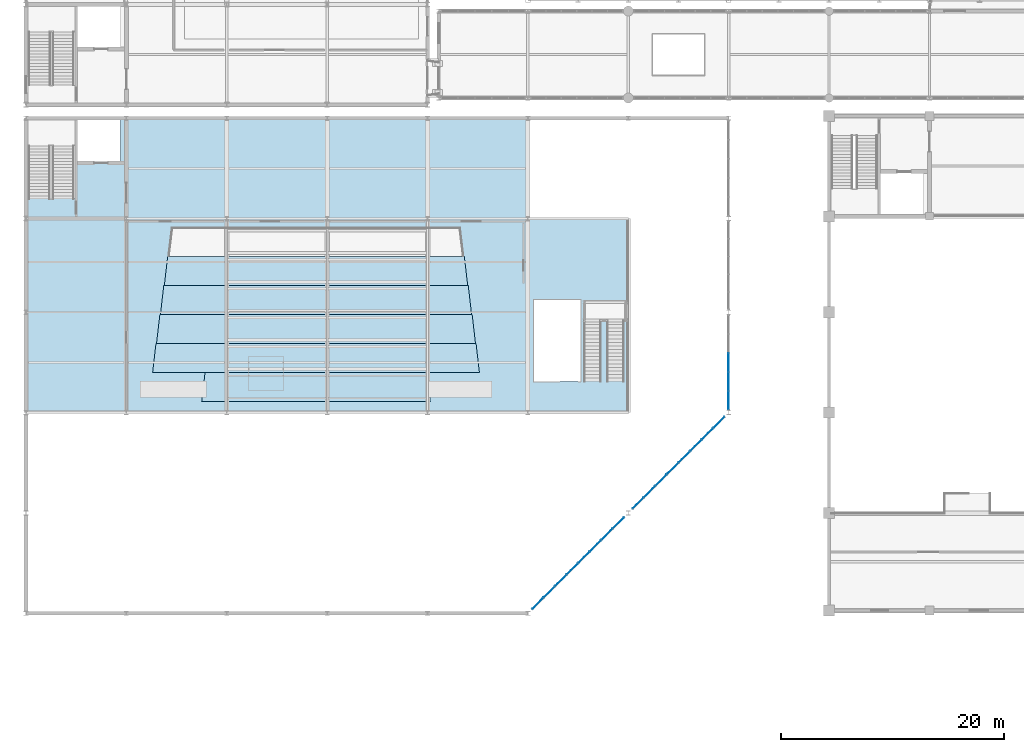
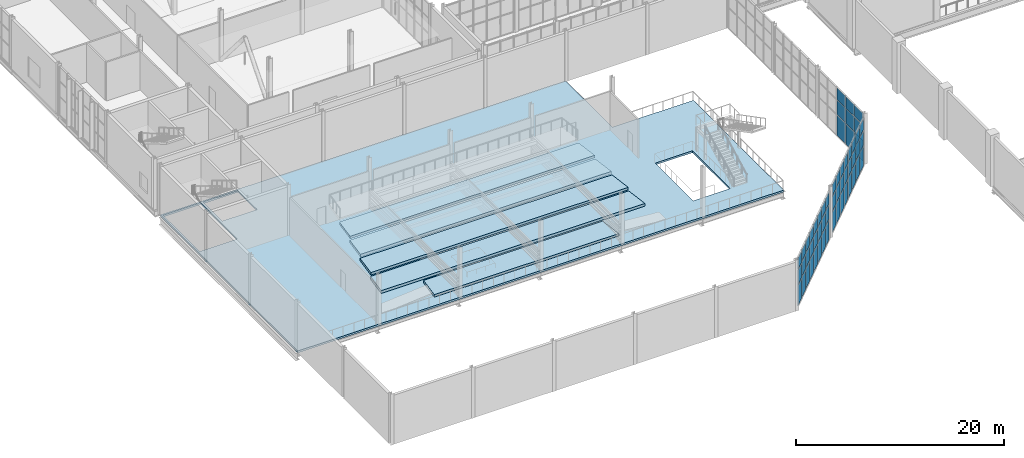
# One storey, part 94 of 159: 57 plates, 6 slabs, 3 elements without a shape of their own.
"""IFC4 building model written with IfcOpenShell, lengths in metres."""

from ifc_helpers import new_model, si_unit, direction, frame, origin, origin_2d, place, context, subcontext, project, spatial, polyline, rectangle, outline, extrude, material, layer, layer_set, type_object, element, aggregate, save


model = new_model("IFC4")

# Units and contexts
model_context = context("Model", 3, precision=1e-05, world=origin(), true_north=direction((0.0, 1.0)))
body_context = subcontext(model_context, "Body", "Model", "MODEL_VIEW")
ifc_project = project(units=[si_unit("LENGTHUNIT", "METRE"), si_unit("AREAUNIT", "SQUARE_METRE"), si_unit("VOLUMEUNIT", "CUBIC_METRE"), si_unit("PLANEANGLEUNIT", "RADIAN"), si_unit("MASSUNIT", "GRAM", prefix="KILO")], contexts=[model_context])

# Site, building, storey
site_placement = place(None, origin())
site = spatial("IfcSite", under=ifc_project, at=site_placement, CompositionType="ELEMENT")
building_placement = place(site_placement, origin())
building = spatial("IfcBuilding", under=site, at=building_placement, Name="Cazmaro Siding Exhibition Halls", CompositionType="ELEMENT")
storey_placement = place(building_placement, frame((0.0, 0.0, 6.0)))
storey = spatial("IfcBuildingStorey", under=building, at=storey_placement, Name="L01", CompositionType="ELEMENT", Elevation=6.0)

# Curtain wall, plates
ifc_material_1 = material(Name="Anodized Bronze Aluminum and Solar-Control Low-E Glazing", Category="aluminium")
ifc_layer_1 = layer(ifc_material_1, 0.199951171875)
ifc_layer_set_1 = layer_set([ifc_layer_1], Name="Anodized Bronze Aluminum and Solar-Control Low-E Glazing")
curtain_wall_type_1 = type_object("IfcCurtainWallType", Name="CWS-02", PredefinedType="USERDEFINED", material=ifc_layer_set_1)
curtain_wall_1_placement = place(storey_placement, origin())
curtain_wall_1 = element("IfcCurtainWall", 1, at=curtain_wall_1_placement, inside=storey, type_object=curtain_wall_type_1, Name="Glazed Curtain Wall CWS-02 CW-217", ObjectType="GLAZED CURTAIN WALL", PredefinedType="USERDEFINED")
ifc_material_2 = material(Name="Solar-Control Low-E Double Insulating Glass", Category="glass")
ifc_layer_2 = layer(ifc_material_2, 0.035888671875)
ifc_layer_set_2 = layer_set([ifc_layer_2], Name="Solar-Control Low-E Double Insulating Glass")
plate_type_1 = type_object("IfcPlateType", Name="CWP-02", PredefinedType="CURTAIN_PANEL", material=ifc_layer_set_2)
plate_1_placement = place(storey_placement, frame((63.0, 28.10107421875, 0.06494140625), z_axis=(0.0, 0.0, 1.0), x_axis=(0.0, 1.0, 0.0)))
plate_1 = element("IfcPlate", 2, at=plate_1_placement, type_object=plate_type_1, Name="CWS-02 panel 1.1", PredefinedType="CURTAIN_PANEL", context=body_context, shape_type="SweptSolid", body=[
    extrude(rectangle(XDim=1.610107421875, YDim=0.035888671875, at=origin_2d()), origin(), (0.0, 0.0, 1.0), 2.402587890625),
])
plate_2_placement = place(storey_placement, frame((63.0, 28.10107421875, 2.5322265625), z_axis=(0.0, 0.0, 1.0), x_axis=(0.0, 1.0, 0.0)))
plate_2 = element("IfcPlate", 3, at=plate_2_placement, type_object=plate_type_1, Name="CWS-02 panel 1.2", PredefinedType="CURTAIN_PANEL", context=body_context, shape_type="SweptSolid", body=[
    extrude(rectangle(XDim=1.610107421875, YDim=0.035888671875, at=origin_2d()), origin(), (0.0, 0.0, 1.0), 1.735107421875),
])
plate_3_placement = place(storey_placement, frame((63.0, 28.10107421875, 4.33251953125), z_axis=(0.0, 0.0, 1.0), x_axis=(0.0, 1.0, 0.0)))
plate_3 = element("IfcPlate", 4, at=plate_3_placement, type_object=plate_type_1, Name="CWS-02 panel 1.3", PredefinedType="CURTAIN_PANEL", context=body_context, shape_type="SweptSolid", body=[
    extrude(rectangle(XDim=1.610107421875, YDim=0.035888671875, at=origin_2d()), origin(), (0.0, 0.0, 1.0), 1.3525390625),
])
plate_4_placement = place(storey_placement, frame((63.0, 29.79248046875, 0.06494140625), z_axis=(0.0, 0.0, 1.0), x_axis=(0.0, 1.0, 0.0)))
plate_4 = element("IfcPlate", 5, at=plate_4_placement, type_object=plate_type_1, Name="CWS-02 panel 2.1", PredefinedType="CURTAIN_PANEL", context=body_context, shape_type="SweptSolid", body=[
    extrude(rectangle(XDim=1.642578125, YDim=0.035888671875, at=origin_2d()), origin(), (0.0, 0.0, 1.0), 2.402587890625),
])
plate_5_placement = place(storey_placement, frame((63.0, 29.79248046875, 2.5322265625), z_axis=(0.0, 0.0, 1.0), x_axis=(0.0, 1.0, 0.0)))
plate_5 = element("IfcPlate", 6, at=plate_5_placement, type_object=plate_type_1, Name="CWS-02 panel 2.2", PredefinedType="CURTAIN_PANEL", context=body_context, shape_type="SweptSolid", body=[
    extrude(rectangle(XDim=1.642578125, YDim=0.035888671875, at=origin_2d()), origin(), (0.0, 0.0, 1.0), 1.735107421875),
])
plate_6_placement = place(storey_placement, frame((63.0, 29.79248046875, 4.33251953125), z_axis=(0.0, 0.0, 1.0), x_axis=(0.0, 1.0, 0.0)))
plate_6 = element("IfcPlate", 7, at=plate_6_placement, type_object=plate_type_1, Name="CWS-02 panel 2.3", PredefinedType="CURTAIN_PANEL", context=body_context, shape_type="SweptSolid", body=[
    extrude(rectangle(XDim=1.642578125, YDim=0.035888671875, at=origin_2d()), origin(), (0.0, 0.0, 1.0), 1.3525390625),
])
plate_7_placement = place(storey_placement, frame((63.0, 31.5, 0.06494140625), z_axis=(0.0, 0.0, 1.0), x_axis=(0.0, 1.0, 0.0)))
plate_7 = element("IfcPlate", 8, at=plate_7_placement, type_object=plate_type_1, Name="CWS-02 panel 3.1", PredefinedType="CURTAIN_PANEL", context=body_context, shape_type="SweptSolid", body=[
    extrude(rectangle(XDim=1.642578125, YDim=0.035888671875, at=origin_2d()), origin(), (0.0, 0.0, 1.0), 2.402587890625),
])
plate_8_placement = place(storey_placement, frame((63.0, 31.5, 2.5322265625), z_axis=(0.0, 0.0, 1.0), x_axis=(0.0, 1.0, 0.0)))
plate_8 = element("IfcPlate", 9, at=plate_8_placement, type_object=plate_type_1, Name="CWS-02 panel 3.2", PredefinedType="CURTAIN_PANEL", context=body_context, shape_type="SweptSolid", body=[
    extrude(rectangle(XDim=1.642578125, YDim=0.035888671875, at=origin_2d()), origin(), (0.0, 0.0, 1.0), 1.735107421875),
])
plate_9_placement = place(storey_placement, frame((63.0, 31.5, 4.33251953125), z_axis=(0.0, 0.0, 1.0), x_axis=(0.0, 1.0, 0.0)))
plate_9 = element("IfcPlate", 10, at=plate_9_placement, type_object=plate_type_1, Name="CWS-02 panel 3.3", PredefinedType="CURTAIN_PANEL", context=body_context, shape_type="SweptSolid", body=[
    extrude(rectangle(XDim=1.642578125, YDim=0.035888671875, at=origin_2d()), origin(), (0.0, 0.0, 1.0), 1.3525390625),
])
aggregate(curtain_wall_1, [plate_1, plate_2, plate_3, plate_4, plate_5, plate_6, plate_7, plate_8, plate_9])

ifc_material_3 = material(Name="Anodized Bronze Aluminum and Solar-Control Low-E Glazing", Category="aluminium")
ifc_layer_3 = layer(ifc_material_3, 0.219970703125)
ifc_layer_set_3 = layer_set([ifc_layer_3], Name="Anodized Bronze Aluminum and Solar-Control Low-E Glazing")
curtain_wall_type_2 = type_object("IfcCurtainWallType", Name="CWS-03", PredefinedType="USERDEFINED", material=ifc_layer_set_3)
curtain_wall_2_placement = place(storey_placement, origin())
curtain_wall_2 = element("IfcCurtainWall", 11, at=curtain_wall_2_placement, inside=storey, type_object=curtain_wall_type_2, Name="Glazed Curtain Wall CWS-03 CW-212", ObjectType="GLAZED CURTAIN WALL", PredefinedType="USERDEFINED")
ifc_material_4 = material(Name="Solar-Control Low-E Double Insulating Glass", Category="glass")
ifc_layer_4 = layer(ifc_material_4, 0.0458984375)
ifc_layer_set_4 = layer_set([ifc_layer_4], Name="Solar-Control Low-E Double Insulating Glass")
plate_type_2 = type_object("IfcPlateType", Name="CWP-03", PredefinedType="CURTAIN_PANEL", material=ifc_layer_set_4)
plate_10_placement = place(storey_placement, frame((45.881103515625, 9.881103515625, 0.070068359375), z_axis=(0.0, 0.0, 1.0), x_axis=(0.707106781187, 0.707106781187, 0.0)))
plate_10 = element("IfcPlate", 12, at=plate_10_placement, type_object=plate_type_2, Name="CWS-03 panel 1.1", PredefinedType="CURTAIN_PANEL", context=body_context, shape_type="SweptSolid", body=[
    extrude(rectangle(XDim=1.3623046875, YDim=0.0458984375, at=origin_2d()), origin(), (0.0, 0.0, 1.0), 2.39501953125),
])
plate_11_placement = place(storey_placement, frame((45.881103515625, 9.881103515625, 2.534912109375), z_axis=(0.0, 0.0, 1.0), x_axis=(0.707106781187, 0.707106781187, 0.0)))
plate_11 = element("IfcPlate", 13, at=plate_11_placement, type_object=plate_type_2, Name="CWS-03 panel 1.2", PredefinedType="CURTAIN_PANEL", context=body_context, shape_type="SweptSolid", body=[
    extrude(rectangle(XDim=1.3623046875, YDim=0.0458984375, at=origin_2d()), origin(), (0.0, 0.0, 1.0), 1.72998046875),
])
plate_12_placement = place(storey_placement, frame((45.881103515625, 9.881103515625, 4.3349609375), z_axis=(0.0, 0.0, 1.0), x_axis=(0.707106781187, 0.707106781187, 0.0)))
plate_12 = element("IfcPlate", 14, at=plate_12_placement, type_object=plate_type_2, Name="CWS-03 panel 1.3", PredefinedType="CURTAIN_PANEL", context=body_context, shape_type="SweptSolid", body=[
    extrude(rectangle(XDim=1.3623046875, YDim=0.0458984375, at=origin_2d()), origin(), (0.0, 0.0, 1.0), 1.344970703125),
])
plate_13_placement = place(storey_placement, frame((46.90625, 10.90625, 0.070068359375), z_axis=(0.0, 0.0, 1.0), x_axis=(0.707106781187, 0.707106781187, 0.0)))
plate_13 = element("IfcPlate", 15, at=plate_13_placement, type_object=plate_type_2, Name="CWS-03 panel 2.1", PredefinedType="CURTAIN_PANEL", context=body_context, shape_type="SweptSolid", body=[
    extrude(rectangle(XDim=1.397216796875, YDim=0.0458984375, at=origin_2d()), origin(), (0.0, 0.0, 1.0), 2.39501953125),
])
plate_14_placement = place(storey_placement, frame((46.90625, 10.90625, 2.534912109375), z_axis=(0.0, 0.0, 1.0), x_axis=(0.707106781187, 0.707106781187, 0.0)))
plate_14 = element("IfcPlate", 16, at=plate_14_placement, type_object=plate_type_2, Name="CWS-03 panel 2.2", PredefinedType="CURTAIN_PANEL", context=body_context, shape_type="SweptSolid", body=[
    extrude(rectangle(XDim=1.397216796875, YDim=0.0458984375, at=origin_2d()), origin(), (0.0, 0.0, 1.0), 1.72998046875),
])
plate_15_placement = place(storey_placement, frame((46.90625, 10.90625, 4.3349609375), z_axis=(0.0, 0.0, 1.0), x_axis=(0.707106781187, 0.707106781187, 0.0)))
plate_15 = element("IfcPlate", 17, at=plate_15_placement, type_object=plate_type_2, Name="CWS-03 panel 2.3", PredefinedType="CURTAIN_PANEL", context=body_context, shape_type="SweptSolid", body=[
    extrude(rectangle(XDim=1.397216796875, YDim=0.0458984375, at=origin_2d()), origin(), (0.0, 0.0, 1.0), 1.344970703125),
])
plate_16_placement = place(storey_placement, frame((47.94384765625, 11.94384765625, 0.070068359375), z_axis=(0.0, 0.0, 1.0), x_axis=(0.707106781187, 0.707106781187, 0.0)))
plate_16 = element("IfcPlate", 18, at=plate_16_placement, type_object=plate_type_2, Name="CWS-03 panel 3.1", PredefinedType="CURTAIN_PANEL", context=body_context, shape_type="SweptSolid", body=[
    extrude(rectangle(XDim=1.397216796875, YDim=0.0458984375, at=origin_2d()), origin(), (0.0, 0.0, 1.0), 2.39501953125),
])
plate_17_placement = place(storey_placement, frame((47.94384765625, 11.94384765625, 2.534912109375), z_axis=(0.0, 0.0, 1.0), x_axis=(0.707106781187, 0.707106781187, 0.0)))
plate_17 = element("IfcPlate", 19, at=plate_17_placement, type_object=plate_type_2, Name="CWS-03 panel 3.2", PredefinedType="CURTAIN_PANEL", context=body_context, shape_type="SweptSolid", body=[
    extrude(rectangle(XDim=1.397216796875, YDim=0.0458984375, at=origin_2d()), origin(), (0.0, 0.0, 1.0), 1.72998046875),
])
plate_18_placement = place(storey_placement, frame((47.94384765625, 11.94384765625, 4.3349609375), z_axis=(0.0, 0.0, 1.0), x_axis=(0.707106781187, 0.707106781187, 0.0)))
plate_18 = element("IfcPlate", 20, at=plate_18_placement, type_object=plate_type_2, Name="CWS-03 panel 3.3", PredefinedType="CURTAIN_PANEL", context=body_context, shape_type="SweptSolid", body=[
    extrude(rectangle(XDim=1.397216796875, YDim=0.0458984375, at=origin_2d()), origin(), (0.0, 0.0, 1.0), 1.344970703125),
])
plate_19_placement = place(storey_placement, frame((48.981201171875, 12.981201171875, 0.070068359375), z_axis=(0.0, 0.0, 1.0), x_axis=(0.707106781187, 0.707106781187, 0.0)))
plate_19 = element("IfcPlate", 21, at=plate_19_placement, type_object=plate_type_2, Name="CWS-03 panel 4.1", PredefinedType="CURTAIN_PANEL", context=body_context, shape_type="SweptSolid", body=[
    extrude(rectangle(XDim=1.397216796875, YDim=0.0458984375, at=origin_2d()), origin(), (0.0, 0.0, 1.0), 2.39501953125),
])
plate_20_placement = place(storey_placement, frame((48.981201171875, 12.981201171875, 2.534912109375), z_axis=(0.0, 0.0, 1.0), x_axis=(0.707106781187, 0.707106781187, 0.0)))
plate_20 = element("IfcPlate", 22, at=plate_20_placement, type_object=plate_type_2, Name="CWS-03 panel 4.2", PredefinedType="CURTAIN_PANEL", context=body_context, shape_type="SweptSolid", body=[
    extrude(rectangle(XDim=1.397216796875, YDim=0.0458984375, at=origin_2d()), origin(), (0.0, 0.0, 1.0), 1.72998046875),
])
plate_21_placement = place(storey_placement, frame((48.981201171875, 12.981201171875, 4.3349609375), z_axis=(0.0, 0.0, 1.0), x_axis=(0.707106781187, 0.707106781187, 0.0)))
plate_21 = element("IfcPlate", 23, at=plate_21_placement, type_object=plate_type_2, Name="CWS-03 panel 4.3", PredefinedType="CURTAIN_PANEL", context=body_context, shape_type="SweptSolid", body=[
    extrude(rectangle(XDim=1.397216796875, YDim=0.0458984375, at=origin_2d()), origin(), (0.0, 0.0, 1.0), 1.344970703125),
])
plate_22_placement = place(storey_placement, frame((50.018798828125, 14.018798828125, 0.070068359375), z_axis=(0.0, 0.0, 1.0), x_axis=(0.707106781187, 0.707106781187, 0.0)))
plate_22 = element("IfcPlate", 24, at=plate_22_placement, type_object=plate_type_2, Name="CWS-03 panel 5.1", PredefinedType="CURTAIN_PANEL", context=body_context, shape_type="SweptSolid", body=[
    extrude(rectangle(XDim=1.397216796875, YDim=0.0458984375, at=origin_2d()), origin(), (0.0, 0.0, 1.0), 2.39501953125),
])
plate_23_placement = place(storey_placement, frame((50.018798828125, 14.018798828125, 2.534912109375), z_axis=(0.0, 0.0, 1.0), x_axis=(0.707106781187, 0.707106781187, 0.0)))
plate_23 = element("IfcPlate", 25, at=plate_23_placement, type_object=plate_type_2, Name="CWS-03 panel 5.2", PredefinedType="CURTAIN_PANEL", context=body_context, shape_type="SweptSolid", body=[
    extrude(rectangle(XDim=1.397216796875, YDim=0.0458984375, at=origin_2d()), origin(), (0.0, 0.0, 1.0), 1.72998046875),
])
plate_24_placement = place(storey_placement, frame((50.018798828125, 14.018798828125, 4.3349609375), z_axis=(0.0, 0.0, 1.0), x_axis=(0.707106781187, 0.707106781187, 0.0)))
plate_24 = element("IfcPlate", 26, at=plate_24_placement, type_object=plate_type_2, Name="CWS-03 panel 5.3", PredefinedType="CURTAIN_PANEL", context=body_context, shape_type="SweptSolid", body=[
    extrude(rectangle(XDim=1.397216796875, YDim=0.0458984375, at=origin_2d()), origin(), (0.0, 0.0, 1.0), 1.344970703125),
])
plate_25_placement = place(storey_placement, frame((51.05615234375, 15.05615234375, 0.070068359375), z_axis=(0.0, 0.0, 1.0), x_axis=(0.707106781187, 0.707106781187, 0.0)))
plate_25 = element("IfcPlate", 27, at=plate_25_placement, type_object=plate_type_2, Name="CWS-03 panel 6.1", PredefinedType="CURTAIN_PANEL", context=body_context, shape_type="SweptSolid", body=[
    extrude(rectangle(XDim=1.397216796875, YDim=0.0458984375, at=origin_2d()), origin(), (0.0, 0.0, 1.0), 2.39501953125),
])
plate_26_placement = place(storey_placement, frame((51.05615234375, 15.05615234375, 2.534912109375), z_axis=(0.0, 0.0, 1.0), x_axis=(0.707106781187, 0.707106781187, 0.0)))
plate_26 = element("IfcPlate", 28, at=plate_26_placement, type_object=plate_type_2, Name="CWS-03 panel 6.2", PredefinedType="CURTAIN_PANEL", context=body_context, shape_type="SweptSolid", body=[
    extrude(rectangle(XDim=1.397216796875, YDim=0.0458984375, at=origin_2d()), origin(), (0.0, 0.0, 1.0), 1.72998046875),
])
plate_27_placement = place(storey_placement, frame((51.05615234375, 15.05615234375, 4.3349609375), z_axis=(0.0, 0.0, 1.0), x_axis=(0.707106781187, 0.707106781187, 0.0)))
plate_27 = element("IfcPlate", 29, at=plate_27_placement, type_object=plate_type_2, Name="CWS-03 panel 6.3", PredefinedType="CURTAIN_PANEL", context=body_context, shape_type="SweptSolid", body=[
    extrude(rectangle(XDim=1.397216796875, YDim=0.0458984375, at=origin_2d()), origin(), (0.0, 0.0, 1.0), 1.344970703125),
])
plate_28_placement = place(storey_placement, frame((52.09375, 16.09375, 0.070068359375), z_axis=(0.0, 0.0, 1.0), x_axis=(0.707106781187, 0.707106781187, 0.0)))
plate_28 = element("IfcPlate", 30, at=plate_28_placement, type_object=plate_type_2, Name="CWS-03 panel 7.1", PredefinedType="CURTAIN_PANEL", context=body_context, shape_type="SweptSolid", body=[
    extrude(rectangle(XDim=1.397216796875, YDim=0.0458984375, at=origin_2d()), origin(), (0.0, 0.0, 1.0), 2.39501953125),
])
plate_29_placement = place(storey_placement, frame((52.09375, 16.09375, 2.534912109375), z_axis=(0.0, 0.0, 1.0), x_axis=(0.707106781187, 0.707106781187, 0.0)))
plate_29 = element("IfcPlate", 31, at=plate_29_placement, type_object=plate_type_2, Name="CWS-03 panel 7.2", PredefinedType="CURTAIN_PANEL", context=body_context, shape_type="SweptSolid", body=[
    extrude(rectangle(XDim=1.397216796875, YDim=0.0458984375, at=origin_2d()), origin(), (0.0, 0.0, 1.0), 1.72998046875),
])
plate_30_placement = place(storey_placement, frame((52.09375, 16.09375, 4.3349609375), z_axis=(0.0, 0.0, 1.0), x_axis=(0.707106781187, 0.707106781187, 0.0)))
plate_30 = element("IfcPlate", 32, at=plate_30_placement, type_object=plate_type_2, Name="CWS-03 panel 7.3", PredefinedType="CURTAIN_PANEL", context=body_context, shape_type="SweptSolid", body=[
    extrude(rectangle(XDim=1.397216796875, YDim=0.0458984375, at=origin_2d()), origin(), (0.0, 0.0, 1.0), 1.344970703125),
])
plate_31_placement = place(storey_placement, frame((53.118896484375, 17.118896484375, 0.070068359375), z_axis=(0.0, 0.0, 1.0), x_axis=(0.707106781187, 0.707106781187, 0.0)))
plate_31 = element("IfcPlate", 33, at=plate_31_placement, type_object=plate_type_2, Name="CWS-03 panel 8.1", PredefinedType="CURTAIN_PANEL", context=body_context, shape_type="SweptSolid", body=[
    extrude(rectangle(XDim=1.3623046875, YDim=0.0458984375, at=origin_2d()), origin(), (0.0, 0.0, 1.0), 2.39501953125),
])
plate_32_placement = place(storey_placement, frame((53.118896484375, 17.118896484375, 2.534912109375), z_axis=(0.0, 0.0, 1.0), x_axis=(0.707106781187, 0.707106781187, 0.0)))
plate_32 = element("IfcPlate", 34, at=plate_32_placement, type_object=plate_type_2, Name="CWS-03 panel 8.2", PredefinedType="CURTAIN_PANEL", context=body_context, shape_type="SweptSolid", body=[
    extrude(rectangle(XDim=1.3623046875, YDim=0.0458984375, at=origin_2d()), origin(), (0.0, 0.0, 1.0), 1.72998046875),
])
plate_33_placement = place(storey_placement, frame((53.118896484375, 17.118896484375, 4.3349609375), z_axis=(0.0, 0.0, 1.0), x_axis=(0.707106781187, 0.707106781187, 0.0)))
plate_33 = element("IfcPlate", 35, at=plate_33_placement, type_object=plate_type_2, Name="CWS-03 panel 8.3", PredefinedType="CURTAIN_PANEL", context=body_context, shape_type="SweptSolid", body=[
    extrude(rectangle(XDim=1.3623046875, YDim=0.0458984375, at=origin_2d()), origin(), (0.0, 0.0, 1.0), 1.344970703125),
])
aggregate(curtain_wall_2, [plate_10, plate_11, plate_12, plate_13, plate_14, plate_15, plate_16, plate_17, plate_18, plate_19, plate_20, plate_21, plate_22, plate_23, plate_24, plate_25, plate_26, plate_27, plate_28, plate_29, plate_30, plate_31, plate_32, plate_33])

curtain_wall_3_placement = place(storey_placement, origin())
curtain_wall_3 = element("IfcCurtainWall", 36, at=curtain_wall_3_placement, inside=storey, type_object=curtain_wall_type_2, Name="Glazed Curtain Wall CWS-03 CW-215", ObjectType="GLAZED CURTAIN WALL", PredefinedType="USERDEFINED")
plate_34_placement = place(storey_placement, frame((54.881103515625, 18.881103515625, 0.070068359375), z_axis=(0.0, 0.0, 1.0), x_axis=(0.707106781187, 0.707106781187, 0.0)))
plate_34 = element("IfcPlate", 37, at=plate_34_placement, type_object=plate_type_2, Name="CWS-03 panel 1.1", PredefinedType="CURTAIN_PANEL", context=body_context, shape_type="SweptSolid", body=[
    extrude(rectangle(XDim=1.3623046875, YDim=0.0458984375, at=origin_2d()), origin(), (0.0, 0.0, 1.0), 2.39501953125),
])
plate_35_placement = place(storey_placement, frame((54.881103515625, 18.881103515625, 2.534912109375), z_axis=(0.0, 0.0, 1.0), x_axis=(0.707106781187, 0.707106781187, 0.0)))
plate_35 = element("IfcPlate", 38, at=plate_35_placement, type_object=plate_type_2, Name="CWS-03 panel 1.2", PredefinedType="CURTAIN_PANEL", context=body_context, shape_type="SweptSolid", body=[
    extrude(rectangle(XDim=1.3623046875, YDim=0.0458984375, at=origin_2d()), origin(), (0.0, 0.0, 1.0), 1.72998046875),
])
plate_36_placement = place(storey_placement, frame((54.881103515625, 18.881103515625, 4.3349609375), z_axis=(0.0, 0.0, 1.0), x_axis=(0.707106781187, 0.707106781187, 0.0)))
plate_36 = element("IfcPlate", 39, at=plate_36_placement, type_object=plate_type_2, Name="CWS-03 panel 1.3", PredefinedType="CURTAIN_PANEL", context=body_context, shape_type="SweptSolid", body=[
    extrude(rectangle(XDim=1.3623046875, YDim=0.0458984375, at=origin_2d()), origin(), (0.0, 0.0, 1.0), 1.344970703125),
])
plate_37_placement = place(storey_placement, frame((55.90625, 19.90625, 0.070068359375), z_axis=(0.0, 0.0, 1.0), x_axis=(0.707106781187, 0.707106781187, 0.0)))
plate_37 = element("IfcPlate", 40, at=plate_37_placement, type_object=plate_type_2, Name="CWS-03 panel 2.1", PredefinedType="CURTAIN_PANEL", context=body_context, shape_type="SweptSolid", body=[
    extrude(rectangle(XDim=1.397216796875, YDim=0.0458984375, at=origin_2d()), origin(), (0.0, 0.0, 1.0), 2.39501953125),
])
plate_38_placement = place(storey_placement, frame((55.90625, 19.90625, 2.534912109375), z_axis=(0.0, 0.0, 1.0), x_axis=(0.707106781187, 0.707106781187, 0.0)))
plate_38 = element("IfcPlate", 41, at=plate_38_placement, type_object=plate_type_2, Name="CWS-03 panel 2.2", PredefinedType="CURTAIN_PANEL", context=body_context, shape_type="SweptSolid", body=[
    extrude(rectangle(XDim=1.397216796875, YDim=0.0458984375, at=origin_2d()), origin(), (0.0, 0.0, 1.0), 1.72998046875),
])
plate_39_placement = place(storey_placement, frame((55.90625, 19.90625, 4.3349609375), z_axis=(0.0, 0.0, 1.0), x_axis=(0.707106781187, 0.707106781187, 0.0)))
plate_39 = element("IfcPlate", 42, at=plate_39_placement, type_object=plate_type_2, Name="CWS-03 panel 2.3", PredefinedType="CURTAIN_PANEL", context=body_context, shape_type="SweptSolid", body=[
    extrude(rectangle(XDim=1.397216796875, YDim=0.0458984375, at=origin_2d()), origin(), (0.0, 0.0, 1.0), 1.344970703125),
])
plate_40_placement = place(storey_placement, frame((56.94384765625, 20.94384765625, 0.070068359375), z_axis=(0.0, 0.0, 1.0), x_axis=(0.707106781187, 0.707106781187, 0.0)))
plate_40 = element("IfcPlate", 43, at=plate_40_placement, type_object=plate_type_2, Name="CWS-03 panel 3.1", PredefinedType="CURTAIN_PANEL", context=body_context, shape_type="SweptSolid", body=[
    extrude(rectangle(XDim=1.397216796875, YDim=0.0458984375, at=origin_2d()), origin(), (0.0, 0.0, 1.0), 2.39501953125),
])
plate_41_placement = place(storey_placement, frame((56.94384765625, 20.94384765625, 2.534912109375), z_axis=(0.0, 0.0, 1.0), x_axis=(0.707106781187, 0.707106781187, 0.0)))
plate_41 = element("IfcPlate", 44, at=plate_41_placement, type_object=plate_type_2, Name="CWS-03 panel 3.2", PredefinedType="CURTAIN_PANEL", context=body_context, shape_type="SweptSolid", body=[
    extrude(rectangle(XDim=1.397216796875, YDim=0.0458984375, at=origin_2d()), origin(), (0.0, 0.0, 1.0), 1.72998046875),
])
plate_42_placement = place(storey_placement, frame((56.94384765625, 20.94384765625, 4.3349609375), z_axis=(0.0, 0.0, 1.0), x_axis=(0.707106781187, 0.707106781187, 0.0)))
plate_42 = element("IfcPlate", 45, at=plate_42_placement, type_object=plate_type_2, Name="CWS-03 panel 3.3", PredefinedType="CURTAIN_PANEL", context=body_context, shape_type="SweptSolid", body=[
    extrude(rectangle(XDim=1.397216796875, YDim=0.0458984375, at=origin_2d()), origin(), (0.0, 0.0, 1.0), 1.344970703125),
])
plate_43_placement = place(storey_placement, frame((57.981201171875, 21.981201171875, 0.070068359375), z_axis=(0.0, 0.0, 1.0), x_axis=(0.707106781187, 0.707106781187, 0.0)))
plate_43 = element("IfcPlate", 46, at=plate_43_placement, type_object=plate_type_2, Name="CWS-03 panel 4.1", PredefinedType="CURTAIN_PANEL", context=body_context, shape_type="SweptSolid", body=[
    extrude(rectangle(XDim=1.397216796875, YDim=0.0458984375, at=origin_2d()), origin(), (0.0, 0.0, 1.0), 2.39501953125),
])
plate_44_placement = place(storey_placement, frame((57.981201171875, 21.981201171875, 2.534912109375), z_axis=(0.0, 0.0, 1.0), x_axis=(0.707106781187, 0.707106781187, 0.0)))
plate_44 = element("IfcPlate", 47, at=plate_44_placement, type_object=plate_type_2, Name="CWS-03 panel 4.2", PredefinedType="CURTAIN_PANEL", context=body_context, shape_type="SweptSolid", body=[
    extrude(rectangle(XDim=1.397216796875, YDim=0.0458984375, at=origin_2d()), origin(), (0.0, 0.0, 1.0), 1.72998046875),
])
plate_45_placement = place(storey_placement, frame((57.981201171875, 21.981201171875, 4.3349609375), z_axis=(0.0, 0.0, 1.0), x_axis=(0.707106781187, 0.707106781187, 0.0)))
plate_45 = element("IfcPlate", 48, at=plate_45_placement, type_object=plate_type_2, Name="CWS-03 panel 4.3", PredefinedType="CURTAIN_PANEL", context=body_context, shape_type="SweptSolid", body=[
    extrude(rectangle(XDim=1.397216796875, YDim=0.0458984375, at=origin_2d()), origin(), (0.0, 0.0, 1.0), 1.344970703125),
])
plate_46_placement = place(storey_placement, frame((59.018798828125, 23.018798828125, 0.070068359375), z_axis=(0.0, 0.0, 1.0), x_axis=(0.707106781187, 0.707106781187, 0.0)))
plate_46 = element("IfcPlate", 49, at=plate_46_placement, type_object=plate_type_2, Name="CWS-03 panel 5.1", PredefinedType="CURTAIN_PANEL", context=body_context, shape_type="SweptSolid", body=[
    extrude(rectangle(XDim=1.397216796875, YDim=0.0458984375, at=origin_2d()), origin(), (0.0, 0.0, 1.0), 2.39501953125),
])
plate_47_placement = place(storey_placement, frame((59.018798828125, 23.018798828125, 2.534912109375), z_axis=(0.0, 0.0, 1.0), x_axis=(0.707106781187, 0.707106781187, 0.0)))
plate_47 = element("IfcPlate", 50, at=plate_47_placement, type_object=plate_type_2, Name="CWS-03 panel 5.2", PredefinedType="CURTAIN_PANEL", context=body_context, shape_type="SweptSolid", body=[
    extrude(rectangle(XDim=1.397216796875, YDim=0.0458984375, at=origin_2d()), origin(), (0.0, 0.0, 1.0), 1.72998046875),
])
plate_48_placement = place(storey_placement, frame((59.018798828125, 23.018798828125, 4.3349609375), z_axis=(0.0, 0.0, 1.0), x_axis=(0.707106781187, 0.707106781187, 0.0)))
plate_48 = element("IfcPlate", 51, at=plate_48_placement, type_object=plate_type_2, Name="CWS-03 panel 5.3", PredefinedType="CURTAIN_PANEL", context=body_context, shape_type="SweptSolid", body=[
    extrude(rectangle(XDim=1.397216796875, YDim=0.0458984375, at=origin_2d()), origin(), (0.0, 0.0, 1.0), 1.344970703125),
])
plate_49_placement = place(storey_placement, frame((60.05615234375, 24.05615234375, 0.070068359375), z_axis=(0.0, 0.0, 1.0), x_axis=(0.707106781187, 0.707106781187, 0.0)))
plate_49 = element("IfcPlate", 52, at=plate_49_placement, type_object=plate_type_2, Name="CWS-03 panel 6.1", PredefinedType="CURTAIN_PANEL", context=body_context, shape_type="SweptSolid", body=[
    extrude(rectangle(XDim=1.397216796875, YDim=0.0458984375, at=origin_2d()), origin(), (0.0, 0.0, 1.0), 2.39501953125),
])
plate_50_placement = place(storey_placement, frame((60.05615234375, 24.05615234375, 2.534912109375), z_axis=(0.0, 0.0, 1.0), x_axis=(0.707106781187, 0.707106781187, 0.0)))
plate_50 = element("IfcPlate", 53, at=plate_50_placement, type_object=plate_type_2, Name="CWS-03 panel 6.2", PredefinedType="CURTAIN_PANEL", context=body_context, shape_type="SweptSolid", body=[
    extrude(rectangle(XDim=1.397216796875, YDim=0.0458984375, at=origin_2d()), origin(), (0.0, 0.0, 1.0), 1.72998046875),
])
plate_51_placement = place(storey_placement, frame((60.05615234375, 24.05615234375, 4.3349609375), z_axis=(0.0, 0.0, 1.0), x_axis=(0.707106781187, 0.707106781187, 0.0)))
plate_51 = element("IfcPlate", 54, at=plate_51_placement, type_object=plate_type_2, Name="CWS-03 panel 6.3", PredefinedType="CURTAIN_PANEL", context=body_context, shape_type="SweptSolid", body=[
    extrude(rectangle(XDim=1.397216796875, YDim=0.0458984375, at=origin_2d()), origin(), (0.0, 0.0, 1.0), 1.344970703125),
])
plate_52_placement = place(storey_placement, frame((61.09375, 25.09375, 0.070068359375), z_axis=(0.0, 0.0, 1.0), x_axis=(0.707106781187, 0.707106781187, 0.0)))
plate_52 = element("IfcPlate", 55, at=plate_52_placement, type_object=plate_type_2, Name="CWS-03 panel 7.1", PredefinedType="CURTAIN_PANEL", context=body_context, shape_type="SweptSolid", body=[
    extrude(rectangle(XDim=1.397216796875, YDim=0.0458984375, at=origin_2d()), origin(), (0.0, 0.0, 1.0), 2.39501953125),
])
plate_53_placement = place(storey_placement, frame((61.09375, 25.09375, 2.534912109375), z_axis=(0.0, 0.0, 1.0), x_axis=(0.707106781187, 0.707106781187, 0.0)))
plate_53 = element("IfcPlate", 56, at=plate_53_placement, type_object=plate_type_2, Name="CWS-03 panel 7.2", PredefinedType="CURTAIN_PANEL", context=body_context, shape_type="SweptSolid", body=[
    extrude(rectangle(XDim=1.397216796875, YDim=0.0458984375, at=origin_2d()), origin(), (0.0, 0.0, 1.0), 1.72998046875),
])
plate_54_placement = place(storey_placement, frame((61.09375, 25.09375, 4.3349609375), z_axis=(0.0, 0.0, 1.0), x_axis=(0.707106781187, 0.707106781187, 0.0)))
plate_54 = element("IfcPlate", 57, at=plate_54_placement, type_object=plate_type_2, Name="CWS-03 panel 7.3", PredefinedType="CURTAIN_PANEL", context=body_context, shape_type="SweptSolid", body=[
    extrude(rectangle(XDim=1.397216796875, YDim=0.0458984375, at=origin_2d()), origin(), (0.0, 0.0, 1.0), 1.344970703125),
])
plate_55_placement = place(storey_placement, frame((62.118896484375, 26.118896484375, 0.070068359375), z_axis=(0.0, 0.0, 1.0), x_axis=(0.707106781187, 0.707106781187, 0.0)))
plate_55 = element("IfcPlate", 58, at=plate_55_placement, type_object=plate_type_2, Name="CWS-03 panel 8.1", PredefinedType="CURTAIN_PANEL", context=body_context, shape_type="SweptSolid", body=[
    extrude(rectangle(XDim=1.3623046875, YDim=0.0458984375, at=origin_2d()), origin(), (0.0, 0.0, 1.0), 2.39501953125),
])
plate_56_placement = place(storey_placement, frame((62.118896484375, 26.118896484375, 2.534912109375), z_axis=(0.0, 0.0, 1.0), x_axis=(0.707106781187, 0.707106781187, 0.0)))
plate_56 = element("IfcPlate", 59, at=plate_56_placement, type_object=plate_type_2, Name="CWS-03 panel 8.2", PredefinedType="CURTAIN_PANEL", context=body_context, shape_type="SweptSolid", body=[
    extrude(rectangle(XDim=1.3623046875, YDim=0.0458984375, at=origin_2d()), origin(), (0.0, 0.0, 1.0), 1.72998046875),
])
plate_57_placement = place(storey_placement, frame((62.118896484375, 26.118896484375, 4.3349609375), z_axis=(0.0, 0.0, 1.0), x_axis=(0.707106781187, 0.707106781187, 0.0)))
plate_57 = element("IfcPlate", 60, at=plate_57_placement, type_object=plate_type_2, Name="CWS-03 panel 8.3", PredefinedType="CURTAIN_PANEL", context=body_context, shape_type="SweptSolid", body=[
    extrude(rectangle(XDim=1.3623046875, YDim=0.0458984375, at=origin_2d()), origin(), (0.0, 0.0, 1.0), 1.344970703125),
])
aggregate(curtain_wall_3, [plate_34, plate_35, plate_36, plate_37, plate_38, plate_39, plate_40, plate_41, plate_42, plate_43, plate_44, plate_45, plate_46, plate_47, plate_48, plate_49, plate_50, plate_51, plate_52, plate_53, plate_54, plate_55, plate_56, plate_57])

# Slabs
ifc_material_5 = material(Name="Concrete f'c 35 MPa", Category="concrete")
ifc_layer_5 = layer(ifc_material_5, 0.219970703125)
ifc_layer_set_5 = layer_set([ifc_layer_5], Name="Concrete f'c 35 MPa")
slab_type_1 = type_object("IfcSlabType", Name="FS-01", PredefinedType="FLOOR", material=ifc_layer_set_5)
slab_1_placement = place(storey_placement, frame((0.0, 0.0, -0.219970703125)))
element("IfcSlab", 61, at=slab_1_placement, inside=storey, type_object=slab_type_1, Name="Congress Balcony and Foyer Slab L01 FS-01 SLB-0020", PredefinedType="FLOOR", context=body_context, shape_type="SweptSolid", body=[
    extrude(outline(polyline([(0.0, 27.0), (54.0, 27.0), (54.0, 44.39990234375), (45.0, 44.39990234375), (45.0, 53.39990234375), (0.0, 53.39990234375), (0.0, 27.0)]), holes=[polyline([(0.179931640625, 46.179931640625), (4.375, 46.179931640625), (4.375, 53.219970703125), (0.179931640625, 53.219970703125), (0.179931640625, 46.179931640625)]), polyline([(4.625, 49.52001953125), (8.47998046875, 49.52001953125), (8.47998046875, 53.219970703125), (4.625, 53.219970703125), (4.625, 49.52001953125)]), polyline([(20.0, 29.0), (23.0, 29.0), (23.0, 32.0), (20.0, 32.0), (20.0, 29.0)]), polyline([(45.550048828125, 29.800048828125), (49.699951171875, 29.800048828125), (49.699951171875, 37.10009765625), (45.550048828125, 37.10009765625), (45.550048828125, 29.800048828125)])]), origin(), (0.0, 0.0, 1.0), 0.219970703125),
])
ifc_material_6 = material(Name="Precast concrete f'c 40 MPa", Category="concrete")
ifc_layer_6 = layer(ifc_material_6, 0.320068359375)
ifc_layer_set_6 = layer_set([ifc_layer_6], Name="Precast concrete f'c 40 MPa")
slab_type_2 = type_object("IfcSlabType", Name="ST-T1", PredefinedType="USERDEFINED", material=ifc_layer_set_6)
slab_2_placement = place(storey_placement, frame((0.0, 0.0, 0.610107421875)))
element("IfcSlab", 62, at=slab_2_placement, inside=storey, type_object=slab_type_2, Name="Stand Upper Balcony Tier Row 2 ST-T1 SLB-0061", ObjectType="SEATING TIER", PredefinedType="USERDEFINED", context=body_context, shape_type="SweptSolid", body=[
    extrude(outline(polyline([(11.35009765625, 30.60009765625), (40.64990234375, 30.60009765625), (40.35009765625, 33.199951171875), (11.64990234375, 33.199951171875), (11.35009765625, 30.60009765625)])), origin(), (0.0, 0.0, 1.0), 0.31982421875),
])
slab_3_placement = place(storey_placement, frame((0.0, 0.0, 1.469970703125)))
element("IfcSlab", 63, at=slab_3_placement, inside=storey, type_object=slab_type_2, Name="Stand Upper Balcony Tier Row 4 ST-T1 SLB-0063", ObjectType="SEATING TIER", PredefinedType="USERDEFINED", context=body_context, shape_type="SweptSolid", body=[
    extrude(outline(polyline([(12.050048828125, 35.800048828125), (39.949951171875, 35.800048828125), (39.64990234375, 38.39990234375), (12.35009765625, 38.39990234375), (12.050048828125, 35.800048828125)])), origin(), (0.0, 0.0, 1.0), 0.320068359375),
])
ifc_material_7 = material(Name="Precast concrete f'c 40 MPa", Category="concrete")
ifc_layer_7 = layer(ifc_material_7, 0.2900390625)
ifc_layer_set_7 = layer_set([ifc_layer_7], Name="Precast concrete f'c 40 MPa")
slab_type_3 = type_object("IfcSlabType", Name="ST-T2", PredefinedType="USERDEFINED", material=ifc_layer_set_7)
slab_4_placement = place(storey_placement, frame((0.0, 0.0, 0.2099609375)))
element("IfcSlab", 64, at=slab_4_placement, inside=storey, type_object=slab_type_3, Name="Stand Upper Balcony Tier Row 1 ST-T2 SLB-0060", ObjectType="SEATING TIER", PredefinedType="USERDEFINED", context=body_context, shape_type="SweptSolid", body=[
    extrude(outline(polyline([(15.75, 28.0), (36.25, 28.0), (35.949951171875, 30.60009765625), (16.050048828125, 30.60009765625), (15.75, 28.0)])), origin(), (0.0, 0.0, 1.0), 0.2900390625),
])
slab_5_placement = place(storey_placement, frame((0.0, 0.0, 1.070068359375)))
element("IfcSlab", 65, at=slab_5_placement, inside=storey, type_object=slab_type_3, Name="Stand Upper Balcony Tier Row 3 ST-T2 SLB-0062", ObjectType="SEATING TIER", PredefinedType="USERDEFINED", context=body_context, shape_type="SweptSolid", body=[
    extrude(outline(polyline([(11.699951171875, 33.199951171875), (40.300048828125, 33.199951171875), (40.0, 35.800048828125), (12.0, 35.800048828125), (11.699951171875, 33.199951171875)])), origin(), (0.0, 0.0, 1.0), 0.2900390625),
])
slab_6_placement = place(storey_placement, frame((0.0, 0.0, 1.929931640625)))
element("IfcSlab", 66, at=slab_6_placement, inside=storey, type_object=slab_type_3, Name="Stand Upper Balcony Tier Row 5 ST-T2 SLB-0064", ObjectType="SEATING TIER", PredefinedType="USERDEFINED", context=body_context, shape_type="SweptSolid", body=[
    extrude(outline(polyline([(12.39990234375, 38.39990234375), (39.60009765625, 38.39990234375), (39.300048828125, 41.0), (12.699951171875, 41.0), (12.39990234375, 38.39990234375)])), origin(), (0.0, 0.0, 1.0), 0.2900390625),
])

save(model, "model.ifc")
